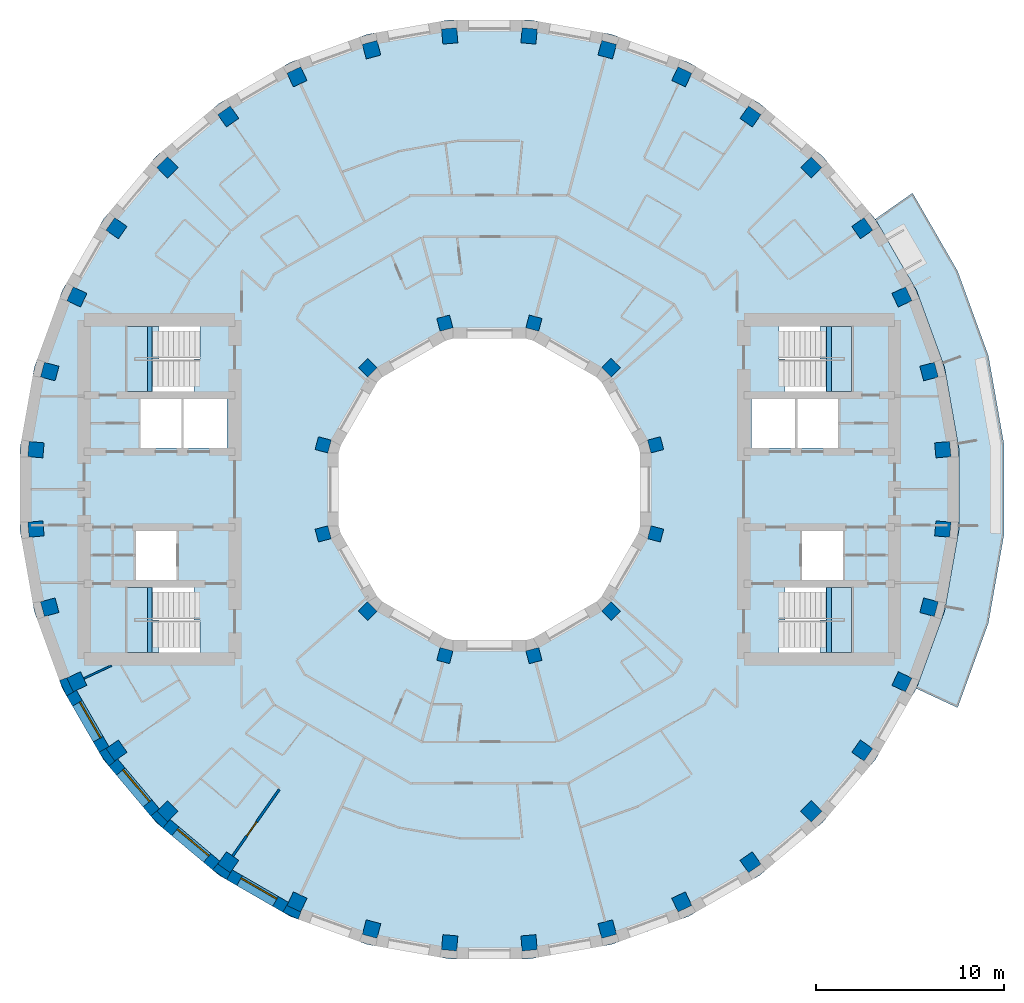
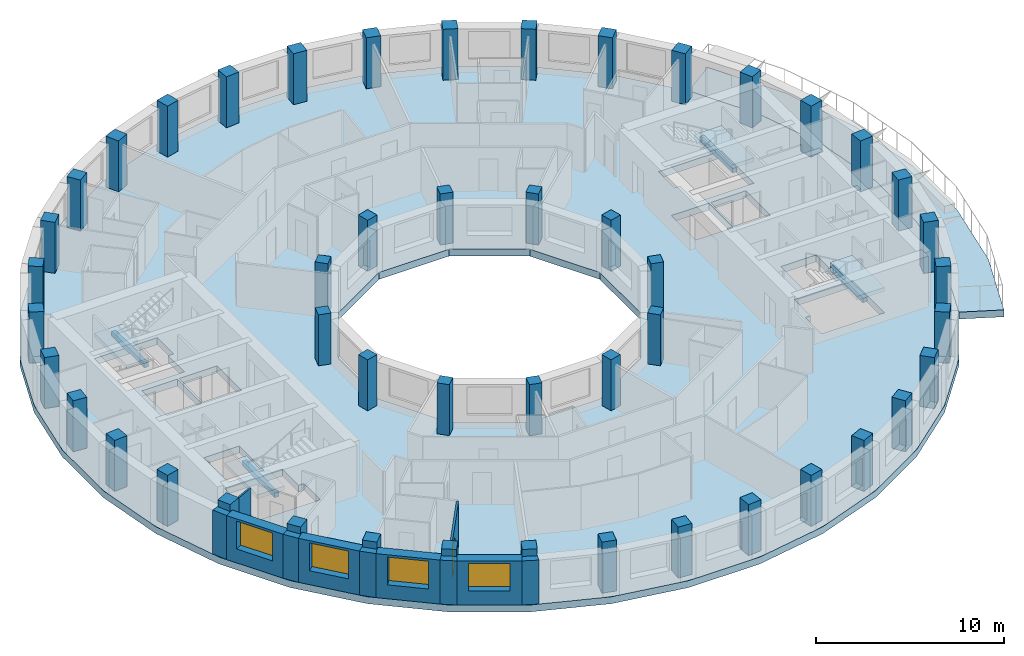
# One storey, part 1 of 11: 48 columns, 11 walls, 6 slabs, 4 beams, 4 windows, 1 door, 5 openings, 4 elements without a shape of their own.
"""IFC4 building model written with IfcOpenShell, lengths in metres."""

import ifcopenshell
import ifcopenshell.guid

model = None  # the IFC model being written
_history = None  # IfcOwnerHistory: only IFC2X3 demands one
_inside = {}  # id of a spatial element -> (the spatial element, [elements in it])
_under = {}  # id of a project, library or spatial element -> (it, [spatial elements below it])
_declared = {}  # id of a project -> (the project, [libraries it declares])
_typed = {}  # id of a type object -> (the type object, [elements of that type])
_made_of = {}  # id of a material, layer set ... -> (it, [elements and type objects made of it])


def new_model(schema):
    """Start an empty IFC model of exactly this schema.

    Asked for "IFC4X3", IfcOpenShell would pick the latest addendum, in which some entities
    have other attributes; the version numbers below select the first issue.
    IFC2X3 requires an IfcOwnerHistory on every rooted entity: one is made here for all.
    """
    global model, _history
    if schema == "IFC4X3":
        model = ifcopenshell.file(schema_version=(4, 3, 0, 0))
    else:
        model = ifcopenshell.file(schema=schema)
    _inside.clear()
    _under.clear()
    _declared.clear()
    _typed.clear()
    _made_of.clear()
    _history = None
    if model.schema == "IFC2X3":
        org = make("IfcOrganization", Name="unknown")
        user = make(
            "IfcPersonAndOrganization",
            ThePerson=make("IfcPerson", FamilyName="unknown"),
            TheOrganization=org,
        )
        app = make(
            "IfcApplication",
            ApplicationDeveloper=org,
            Version="unknown",
            ApplicationFullName="unknown",
            ApplicationIdentifier="unknown",
        )
        _history = make(
            "IfcOwnerHistory",
            OwningUser=user,
            OwningApplication=app,
            ChangeAction="ADDED",
            CreationDate=0,
        )
    return model


def make(cls, **values):
    """One entity of the class cls with the attributes given. An attribute that is None is left unset."""
    return model.create_entity(
        cls, **{name: value for name, value in values.items() if value is not None}
    )


def rooted(cls, **values):
    """An entity with a GlobalId (a new one), such as an element, a storey or a relation."""
    return make(cls, GlobalId=ifcopenshell.guid.new(), OwnerHistory=_history, **values)


def si_unit(unit_type, name, prefix=None):
    """IfcSIUnit, for example si_unit("LENGTHUNIT", "METRE", prefix="MILLI")."""
    return make("IfcSIUnit", UnitType=unit_type, Prefix=prefix, Name=name)


def assignment(units):
    """IfcUnitAssignment: the units of a project."""
    return None if units is None else make("IfcUnitAssignment", Units=units)


def point(xyz):
    """IfcCartesianPoint."""
    return None if xyz is None else make("IfcCartesianPoint", Coordinates=xyz)


def direction(xyz):
    """IfcDirection."""
    return None if xyz is None else make("IfcDirection", DirectionRatios=xyz)


def frame(location, z_axis=None, x_axis=None):
    """IfcAxis2Placement3D, a coordinate frame: its origin and axes. An axis left out is left unset."""
    return make(
        "IfcAxis2Placement3D",
        Location=point(location),
        Axis=direction(z_axis),
        RefDirection=direction(x_axis),
    )


def frame_2d(location, x_axis=None):
    """IfcAxis2Placement2D, a coordinate frame in the plane: its origin and x axis."""
    return make(
        "IfcAxis2Placement2D", Location=point(location), RefDirection=direction(x_axis)
    )


def origin():
    """The frame at (0, 0, 0) with its axes left unset."""
    return frame((0.0, 0.0, 0.0))


def origin_2d():
    """The frame at (0, 0) in the plane with its x axis left unset."""
    return frame_2d((0.0, 0.0))


def place(relative_to, where):
    """IfcLocalPlacement: puts the frame where relative to a parent placement (None: the world)."""
    return make(
        "IfcLocalPlacement", PlacementRelTo=relative_to, RelativePlacement=where
    )


def context(
    kind, dimensions, precision=None, world=None, true_north=None, identifier=None
):
    """IfcGeometricRepresentationContext, for example the 3D "Model" context."""
    return make(
        "IfcGeometricRepresentationContext",
        ContextIdentifier=identifier,
        ContextType=kind,
        CoordinateSpaceDimension=dimensions,
        Precision=precision,
        WorldCoordinateSystem=world,
        TrueNorth=true_north,
    )


def subcontext(parent, identifier, kind, view, scale=None):
    """IfcGeometricRepresentationSubContext, for example "Body" below "Model"."""
    return make(
        "IfcGeometricRepresentationSubContext",
        ContextIdentifier=identifier,
        ContextType=kind,
        ParentContext=parent,
        TargetScale=scale,
        TargetView=view,
    )


def project(units=None, contexts=None):
    """IfcProject with its units and contexts."""
    return rooted(
        "IfcProject",
        Name="project",
        RepresentationContexts=contexts,
        UnitsInContext=assignment(units),
    )


def spatial(cls, under=None, at=None, **own):
    """A site, building, storey or space (cls), placed at a placement, below another one or the project."""
    s = rooted(cls, ObjectPlacement=at, **own)
    if under is not None:
        _under.setdefault(under.id(), (under, []))[1].append(s)
    return s


def polyline(points):
    """IfcPolyline through the points."""
    return make("IfcPolyline", Points=[point(p) for p in points])


def profile(cls, at=None, kind="AREA", **sizes):
    """A parametric profile (cls). Its sizes go by their IFC names, for example OverallWidth=200.0."""
    return make(cls, ProfileType=kind, Position=at, **sizes)


def rectangle(**sizes):
    """IfcRectangleProfileDef."""
    return profile("IfcRectangleProfileDef", **sizes)


def outline(outer, holes=None, kind="AREA"):
    """IfcArbitraryClosedProfileDef: a profile drawn as a closed curve; with holes, ...WithVoids."""
    if holes is None:
        return make("IfcArbitraryClosedProfileDef", ProfileType=kind, OuterCurve=outer)
    return make(
        "IfcArbitraryProfileDefWithVoids",
        ProfileType=kind,
        OuterCurve=outer,
        InnerCurves=holes,
    )


def extrude(swept, where, along, depth):
    """IfcExtrudedAreaSolid: the profile swept, set in the frame where, extruded along a direction by depth."""
    return make(
        "IfcExtrudedAreaSolid",
        SweptArea=swept,
        Position=where,
        ExtrudedDirection=direction(along),
        Depth=depth,
    )


def shape(context_of_items, identifier, shape_type, items):
    """IfcShapeRepresentation: the items that make up one representation, for example the "Body"."""
    return make(
        "IfcShapeRepresentation",
        ContextOfItems=context_of_items,
        RepresentationIdentifier=identifier,
        RepresentationType=shape_type,
        Items=items,
    )


def material(Name=None, Category=None):
    """IfcMaterial."""
    return make("IfcMaterial", Name=Name, Category=Category)


def layer(
    of_material, thickness, ventilated=None, Name=None, Category=None, Priority=None
):
    """IfcMaterialLayer: one layer of a wall or slab, of a material (None: an air gap)."""
    return make(
        "IfcMaterialLayer",
        Material=of_material,
        LayerThickness=thickness,
        IsVentilated=ventilated,
        Name=Name,
        Category=Category,
        Priority=Priority,
    )


def layer_set(layers, Name=None):
    """IfcMaterialLayerSet."""
    return make("IfcMaterialLayerSet", MaterialLayers=layers, LayerSetName=Name)


def material_profile(
    of_material, cross_section, Name=None, Category=None, Priority=None
):
    """IfcMaterialProfile: a cross section and its material."""
    return make(
        "IfcMaterialProfile",
        Name=Name,
        Material=of_material,
        Profile=cross_section,
        Priority=Priority,
        Category=Category,
    )


def profile_set(profiles, Name=None, composite=None):
    """IfcMaterialProfileSet."""
    return make(
        "IfcMaterialProfileSet",
        Name=Name,
        MaterialProfiles=profiles,
        CompositeProfile=composite,
    )


def made_of(thing, what):
    """Note that an element or type object is made of a material, layer set ...; save() writes the relation."""
    if what is not None:
        _made_of.setdefault(what.id(), (what, []))[1].append(thing)
    return thing


def type_object(cls, material=None, **own):
    """A type object (cls), such as IfcWallType, which elements share."""
    return made_of(rooted(cls, **own), material)


def element(
    cls,
    number,
    at=None,
    inside=None,
    cuts=None,
    type_object=None,
    material=None,
    context=None,
    identifier="Body",
    shape_type=None,
    held_by="IfcProductDefinitionShape",
    body=None,
    shapes=None,
    **own,
):
    """One element of the class cls, such as IfcWall. Its Tag is "e" and its number.

    at: its placement. inside: the storey or other place that contains it. cuts: it is an
    opening in that element (IfcRelVoidsElement). A single representation is given by context,
    identifier, shape_type and body (its items); several are given by shapes. held_by: the class
    of the entity that holds the representations. save() writes the other relations.
    """
    e = rooted(cls, Tag="e%d" % number, ObjectPlacement=at, **own)
    if body is not None:
        shapes = [shape(context, identifier, shape_type, body)]
    if shapes is not None:
        e.Representation = make(held_by, Representations=shapes)
    if inside is not None:
        _inside.setdefault(inside.id(), (inside, []))[1].append(e)
    if cuts is not None:
        rooted(
            "IfcRelVoidsElement", RelatingBuildingElement=cuts, RelatedOpeningElement=e
        )
    if type_object is not None:
        _typed.setdefault(type_object.id(), (type_object, []))[1].append(e)
    return made_of(e, material)


def fill(opening, filler):
    """IfcRelFillsElement: the door or window that sits in an opening."""
    return rooted(
        "IfcRelFillsElement",
        RelatingOpeningElement=opening,
        RelatedBuildingElement=filler,
    )


def aggregate(whole, parts):
    """IfcRelAggregates: a whole, such as a stair, and the parts it consists of."""
    return rooted("IfcRelAggregates", RelatingObject=whole, RelatedObjects=parts)


def save(model, path):
    """Write the relations noted so far, then the file.

    IfcRelAggregates (storeys below a building ...), IfcRelContainedInSpatialStructure (elements
    in a storey), IfcRelDefinesByType, IfcRelAssociatesMaterial and IfcRelDeclares: one each for
    every whole, place, type object, material and project.
    """
    for whole, parts in _under.values():
        aggregate(whole, parts)
    for where, things in _inside.values():
        rooted(
            "IfcRelContainedInSpatialStructure",
            RelatedElements=things,
            RelatingStructure=where,
        )
    for kind, things in _typed.values():
        rooted("IfcRelDefinesByType", RelatedObjects=things, RelatingType=kind)
    for what, things in _made_of.values():
        rooted("IfcRelAssociatesMaterial", RelatedObjects=things, RelatingMaterial=what)
    for by, libraries in _declared.values():
        rooted("IfcRelDeclares", RelatingContext=by, RelatedDefinitions=libraries)
    model.write(path)


model = new_model("IFC4")

# Units and contexts
model_context = context("Model", 3, precision=1e-05, world=origin(), true_north=direction((0.0, 1.0)))
body_context = subcontext(model_context, "Body", "Model", "MODEL_VIEW")
ifc_project = project(units=[si_unit("LENGTHUNIT", "METRE"), si_unit("AREAUNIT", "SQUARE_METRE"), si_unit("VOLUMEUNIT", "CUBIC_METRE"), si_unit("PLANEANGLEUNIT", "RADIAN"), si_unit("MASSUNIT", "GRAM", prefix="KILO")], contexts=[model_context])

# Site, building, storey
site_placement = place(None, origin())
site = spatial("IfcSite", under=ifc_project, at=site_placement, CompositionType="ELEMENT")
building_placement = place(site_placement, origin())
building = spatial("IfcBuilding", under=site, at=building_placement, Name="Saqina Gate Tower", CompositionType="ELEMENT")
storey_placement = place(building_placement, frame((0.0, 0.0, 183.89990234375)))
storey = spatial("IfcBuildingStorey", under=building, at=storey_placement, Name="L52", CompositionType="ELEMENT", Elevation=183.89990234375)

# Columns
ifc_material_1 = material(Name="Concrete C60/75", Category="concrete")
ifc_material_profile_1 = material_profile(ifc_material_1, rectangle(XDim=0.699951171875, YDim=0.699951171875, at=origin_2d()), Name="RC 700x700")
ifc_profile_set_1 = profile_set([ifc_material_profile_1], Name="Concrete C60/75")
column_type_1 = type_object("IfcColumnType", Name="STR-COL-IN-C", PredefinedType="COLUMN", material=ifc_profile_set_1)
for number, where, z_axis, x_axis, name in (
    (1, (8.821044921875, 2.363525390625, 0.0), (0.0, 0.0, 1.0), (0.965925826289, 0.258819045103, 0.0), "L52-ICL01"),
    (2, (6.45751953125, 6.45751953125, 0.0), (0.0, 0.0, 1.0), (0.707106781187, 0.707106781187, 0.0), "L52-ICL02"),
    (3, (2.363525390625, 8.821044921875, 0.0), (0.0, 0.0, 1.0), (0.258819045103, 0.965925826289, 0.0), "L52-ICL03"),
    (4, (-2.363525390625, 8.821044921875, 0.0), (0.0, 0.0, 1.0), (-0.258819045103, 0.965925826289, 0.0), "L52-ICL04"),
    (5, (-6.45751953125, 6.45751953125, 0.0), (0.0, 0.0, 1.0), (-0.707106781187, 0.707106781187, 0.0), "L52-ICL05"),
    (6, (-8.821044921875, 2.363525390625, 0.0), (0.0, 0.0, 1.0), (-0.965925826289, 0.258819045103, 0.0), "L52-ICL06"),
    (7, (-8.821044921875, -2.363525390625, 0.0), (0.0, 0.0, 1.0), (-0.965925826289, -0.258819045103, 0.0), "L52-ICL07"),
    (8, (-6.45751953125, -6.45751953125, 0.0), (0.0, 0.0, 1.0), (-0.707106781187, -0.707106781187, 0.0), "L52-ICL08"),
    (9, (-2.363525390625, -8.821044921875, 0.0), (0.0, 0.0, 1.0), (-0.258819045103, -0.965925826289, 0.0), "L52-ICL09"),
    (10, (2.363525390625, -8.821044921875, 0.0), (0.0, 0.0, 1.0), (0.258819045103, -0.965925826289, 0.0), "L52-ICL10"),
    (11, (6.45751953125, -6.45751953125, 0.0), (0.0, 0.0, 1.0), (0.707106781187, -0.707106781187, 0.0), "L52-ICL11"),
    (12, (8.821044921875, -2.363525390625, 0.0), (0.0, 0.0, 1.0), (0.965925826289, -0.258819045103, 0.0), "L52-ICL12"),
):
    element("IfcColumn", number, at=place(storey_placement, frame(where, z_axis=z_axis, x_axis=x_axis)), inside=storey, type_object=column_type_1, Name=name, PredefinedType="COLUMN", context=body_context, shape_type="SweptSolid", body=[
        extrude(rectangle(XDim=0.699951171875, YDim=0.699951171875, at=origin_2d()), origin(), (0.0, 0.0, 1.0), 3.300048828125),
    ])
ifc_material_2 = material(Name="Concrete C60/75", Category="concrete")
ifc_material_profile_2 = material_profile(ifc_material_2, rectangle(XDim=0.800048828125, YDim=0.800048828125, at=origin_2d()), Name="RC 800x800")
ifc_profile_set_2 = profile_set([ifc_material_profile_2], Name="Concrete C60/75")
column_type_2 = type_object("IfcColumnType", Name="STR-COL-OUT-C", PredefinedType="COLUMN", material=ifc_profile_set_2)
for number, where, z_axis, x_axis, name in (
    (13, (24.05810546875, 2.104736328125, 0.0), (0.0, 0.0, 1.0), (0.996194698092, 0.087155742748, 0.0), "L52-COL01"),
    (14, (23.3271484375, 6.25048828125, 0.0), (0.0, 0.0, 1.0), (0.965925826289, 0.258819045103, 0.0), "L52-COL02"),
    (15, (21.887451171875, 10.206298828125, 0.0), (0.0, 0.0, 1.0), (0.906307787037, 0.422618261741, 0.0), "L52-COL03"),
    (16, (19.782470703125, 13.851806640625, 0.0), (0.0, 0.0, 1.0), (0.819152044289, 0.573576436351, 0.0), "L52-COL04"),
    (17, (17.07666015625, 17.07666015625, 0.0), (0.0, 0.0, 1.0), (0.707106781187, 0.707106781187, 0.0), "L52-COL05"),
    (18, (13.851806640625, 19.782470703125, 0.0), (0.0, 0.0, 1.0), (0.573576436351, 0.819152044289, 0.0), "L52-COL06"),
    (19, (10.206298828125, 21.887451171875, 0.0), (0.0, 0.0, 1.0), (0.422618261741, 0.906307787037, 0.0), "L52-COL07"),
    (20, (6.25048828125, 23.3271484375, 0.0), (0.0, 0.0, 1.0), (0.258819045103, 0.965925826289, 0.0), "L52-COL08"),
    (21, (2.104736328125, 24.05810546875, 0.0), (0.0, 0.0, 1.0), (0.087155742748, 0.996194698092, 0.0), "L52-COL09"),
    (22, (-2.104736328125, 24.05810546875, 0.0), (0.0, 0.0, 1.0), (-0.087155742748, 0.996194698092, 0.0), "L52-COL10"),
    (23, (-6.25048828125, 23.3271484375, 0.0), (0.0, 0.0, 1.0), (-0.258819045103, 0.965925826289, 0.0), "L52-COL11"),
    (24, (-10.206298828125, 21.887451171875, 0.0), (0.0, 0.0, 1.0), (-0.422618261741, 0.906307787037, 0.0), "L52-COL12"),
    (25, (-13.851806640625, 19.782470703125, 0.0), (0.0, 0.0, 1.0), (-0.573576436351, 0.819152044289, 0.0), "L52-COL13"),
    (26, (-17.07666015625, 17.07666015625, 0.0), (0.0, 0.0, 1.0), (-0.707106781187, 0.707106781187, 0.0), "L52-COL14"),
    (27, (-19.782470703125, 13.851806640625, 0.0), (0.0, 0.0, 1.0), (-0.819152044289, 0.573576436351, 0.0), "L52-COL15"),
    (28, (-21.887451171875, 10.206298828125, 0.0), (0.0, 0.0, 1.0), (-0.906307787037, 0.422618261741, 0.0), "L52-COL16"),
    (29, (-23.3271484375, 6.25048828125, 0.0), (0.0, 0.0, 1.0), (-0.965925826289, 0.258819045103, 0.0), "L52-COL17"),
    (30, (-24.05810546875, 2.104736328125, 0.0), (0.0, 0.0, 1.0), (-0.996194698092, 0.087155742748, 0.0), "L52-COL18"),
    (31, (-24.05810546875, -2.104736328125, 0.0), (0.0, 0.0, 1.0), (-0.996194698092, -0.087155742748, 0.0), "L52-COL19"),
    (32, (-23.3271484375, -6.25048828125, 0.0), (0.0, 0.0, 1.0), (-0.965925826289, -0.258819045103, 0.0), "L52-COL20"),
    (33, (-21.887451171875, -10.206298828125, 0.0), (0.0, 0.0, 1.0), (-0.906307787037, -0.422618261741, 0.0), "L52-COL21"),
    (34, (-19.782470703125, -13.851806640625, 0.0), (0.0, 0.0, 1.0), (-0.819152044289, -0.573576436351, 0.0), "L52-COL22"),
    (35, (-17.07666015625, -17.07666015625, 0.0), (0.0, 0.0, 1.0), (-0.707106781187, -0.707106781187, 0.0), "L52-COL23"),
    (36, (-13.851806640625, -19.782470703125, 0.0), (0.0, 0.0, 1.0), (-0.573576436351, -0.819152044289, 0.0), "L52-COL24"),
    (37, (-10.206298828125, -21.887451171875, 0.0), (0.0, 0.0, 1.0), (-0.422618261741, -0.906307787037, 0.0), "L52-COL25"),
    (38, (-6.25048828125, -23.3271484375, 0.0), (0.0, 0.0, 1.0), (-0.258819045103, -0.965925826289, 0.0), "L52-COL26"),
    (39, (-2.104736328125, -24.05810546875, 0.0), (0.0, 0.0, 1.0), (-0.087155742748, -0.996194698092, 0.0), "L52-COL27"),
    (40, (2.104736328125, -24.05810546875, 0.0), (0.0, 0.0, 1.0), (0.087155742748, -0.996194698092, 0.0), "L52-COL28"),
    (41, (6.25048828125, -23.3271484375, 0.0), (0.0, 0.0, 1.0), (0.258819045103, -0.965925826289, 0.0), "L52-COL29"),
    (42, (10.206298828125, -21.887451171875, 0.0), (0.0, 0.0, 1.0), (0.422618261741, -0.906307787037, 0.0), "L52-COL30"),
    (43, (13.851806640625, -19.782470703125, 0.0), (0.0, 0.0, 1.0), (0.573576436351, -0.819152044289, 0.0), "L52-COL31"),
    (44, (17.07666015625, -17.07666015625, 0.0), (0.0, 0.0, 1.0), (0.707106781187, -0.707106781187, 0.0), "L52-COL32"),
    (45, (19.782470703125, -13.851806640625, 0.0), (0.0, 0.0, 1.0), (0.819152044289, -0.573576436351, 0.0), "L52-COL33"),
    (46, (21.887451171875, -10.206298828125, 0.0), (0.0, 0.0, 1.0), (0.906307787037, -0.422618261741, 0.0), "L52-COL34"),
    (47, (23.3271484375, -6.25048828125, 0.0), (0.0, 0.0, 1.0), (0.965925826289, -0.258819045103, 0.0), "L52-COL35"),
    (48, (24.05810546875, -2.104736328125, 0.0), (0.0, 0.0, 1.0), (0.996194698092, -0.087155742748, 0.0), "L52-COL36"),
):
    element("IfcColumn", number, at=place(storey_placement, frame(where, z_axis=z_axis, x_axis=x_axis)), inside=storey, type_object=column_type_2, Name=name, PredefinedType="COLUMN", context=body_context, shape_type="SweptSolid", body=[
        extrude(rectangle(XDim=0.800048828125, YDim=0.800048828125, at=origin_2d()), origin(), (0.0, 0.0, 1.0), 3.300048828125),
    ])

# Beams
ifc_material_3 = material(Name="Concrete C40/50", Category="concrete")
ifc_material_profile_3 = material_profile(ifc_material_3, rectangle(XDim=0.25, YDim=0.300048828125, at=origin_2d()), Name="STAIR LANDING BEAM")
ifc_profile_set_3 = profile_set([ifc_material_profile_3], Name="Concrete C40/50")
beam_type = type_object("IfcBeamType", Name="STAIR LANDING BEAM", PredefinedType="BEAM", material=ifc_profile_set_3)
for number, where, z_axis, x_axis, name in (
    (49, (18.02001953125, 5.199951171875, 1.25), (0.0, 1.0, 0.0), (-1.0, 0.0, 0.0), "EXIT STAIR 1 LANDING BEAM"),
    (50, (18.02001953125, -8.64990234375, 1.25), (0.0, 1.0, 0.0), (-1.0, 0.0, 0.0), "EXIT STAIR 2 LANDING BEAM"),
    (51, (-18.02001953125, 5.199951171875, 1.25), (0.0, 1.0, 0.0), (-1.0, 0.0, 0.0), "EXIT STAIR 3 LANDING BEAM"),
    (52, (-18.02001953125, -8.64990234375, 1.25), (0.0, 1.0, 0.0), (-1.0, 0.0, 0.0), "EXIT STAIR 4 LANDING BEAM"),
):
    element("IfcBeam", number, at=place(storey_placement, frame(where, z_axis=z_axis, x_axis=x_axis)), inside=storey, type_object=beam_type, Name=name, PredefinedType="BEAM", context=body_context, shape_type="SweptSolid", body=[
        extrude(rectangle(XDim=0.25, YDim=0.300048828125, at=origin_2d()), origin(), (0.0, 0.0, 1.0), 3.449951171875),
    ])

# Stair, slab
ifc_material_4 = material(Name="Concrete C40/50", Category="concrete")
stair_type = type_object("IfcStairType", Name="EXIT STAIR", PredefinedType="HALF_TURN_STAIR", material=ifc_material_4)
stair_1_placement = place(storey_placement, origin())
stair_1 = element("IfcStair", 53, at=stair_1_placement, inside=storey, type_object=stair_type, Name="EXIT STAIR 1", PredefinedType="HALF_TURN_STAIR")
ifc_material_5 = material(Name="Concrete C40/50", Category="concrete")
ifc_layer_1 = layer(ifc_material_5, 0.25)
ifc_layer_set_1 = layer_set([ifc_layer_1], Name="Concrete C40/50")
slab_type_1 = type_object("IfcSlabType", Name="EXIT STAIR LANDING", PredefinedType="LANDING", material=ifc_layer_set_1)
slab_1_placement = place(storey_placement, frame((0.0, 0.0, 1.400146484375)))
slab_1 = element("IfcSlab", 54, at=slab_1_placement, type_object=slab_type_1, Name="EXIT STAIR 1 LANDING 1", PredefinedType="LANDING", context=body_context, shape_type="SweptSolid", body=[
    extrude(outline(polyline([(19.219970703125, 8.64990234375), (19.219970703125, 5.199951171875), (17.864990234375, 5.199951171875), (17.864990234375, 6.925048828125), (17.534423828125, 6.925048828125), (17.534423828125, 8.64990234375), (17.864990234375, 8.64990234375), (17.8701171875, 8.64990234375), (19.219970703125, 8.64990234375)])), origin(), (0.0, 0.0, 1.0), 0.25),
])
aggregate(stair_1, [slab_1])

stair_2_placement = place(storey_placement, origin())
stair_2 = element("IfcStair", 55, at=stair_2_placement, inside=storey, type_object=stair_type, Name="EXIT STAIR 2", PredefinedType="HALF_TURN_STAIR")
slab_2_placement = place(storey_placement, frame((0.0, 0.0, 1.400146484375)))
slab_2 = element("IfcSlab", 56, at=slab_2_placement, type_object=slab_type_1, Name="EXIT STAIR 2 LANDING 1", PredefinedType="LANDING", context=body_context, shape_type="SweptSolid", body=[
    extrude(outline(polyline([(17.534423828125, -8.64990234375), (17.534423828125, -6.925048828125), (17.864990234375, -6.925048828125), (17.864990234375, -5.199951171875), (19.219970703125, -5.199951171875), (19.219970703125, -8.64990234375), (17.8701171875, -8.64990234375), (17.864990234375, -8.64990234375), (17.534423828125, -8.64990234375)])), origin(), (0.0, 0.0, 1.0), 0.25),
])
aggregate(stair_2, [slab_2])

stair_3_placement = place(storey_placement, origin())
stair_3 = element("IfcStair", 57, at=stair_3_placement, inside=storey, type_object=stair_type, Name="EXIT STAIR 3", PredefinedType="HALF_TURN_STAIR")
slab_3_placement = place(storey_placement, frame((0.0, 0.0, 1.400146484375)))
slab_3 = element("IfcSlab", 58, at=slab_3_placement, type_object=slab_type_1, Name="EXIT STAIR 3 LANDING 1", PredefinedType="LANDING", context=body_context, shape_type="SweptSolid", body=[
    extrude(outline(polyline([(-17.864990234375, 5.199951171875), (-19.219970703125, 5.199951171875), (-19.219970703125, 8.64990234375), (-17.8701171875, 8.64990234375), (-17.864990234375, 8.64990234375), (-17.534423828125, 8.64990234375), (-17.534423828125, 6.925048828125), (-17.864990234375, 6.925048828125), (-17.864990234375, 5.199951171875)])), origin(), (0.0, 0.0, 1.0), 0.25),
])
aggregate(stair_3, [slab_3])

stair_4_placement = place(storey_placement, origin())
stair_4 = element("IfcStair", 59, at=stair_4_placement, inside=storey, type_object=stair_type, Name="EXIT STAIR 4", PredefinedType="HALF_TURN_STAIR")
slab_4_placement = place(storey_placement, frame((0.0, 0.0, 1.400146484375)))
slab_4 = element("IfcSlab", 60, at=slab_4_placement, type_object=slab_type_1, Name="EXIT STAIR 4 LANDING 1", PredefinedType="LANDING", context=body_context, shape_type="SweptSolid", body=[
    extrude(outline(polyline([(-17.534423828125, -6.925048828125), (-17.534423828125, -8.64990234375), (-17.864990234375, -8.64990234375), (-17.8701171875, -8.64990234375), (-19.219970703125, -8.64990234375), (-19.219970703125, -5.199951171875), (-17.864990234375, -5.199951171875), (-17.864990234375, -6.925048828125), (-17.534423828125, -6.925048828125)])), origin(), (0.0, 0.0, 1.0), 0.25),
])
aggregate(stair_4, [slab_4])

# Slabs
ifc_material_6 = material(Name="Concrete C40/50", Category="concrete")
ifc_layer_2 = layer(ifc_material_6, 0.449951171875)
ifc_layer_set_2 = layer_set([ifc_layer_2], Name="Concrete C40/50")
slab_type_2 = type_object("IfcSlabType", Name="STR-POST-TENSIONED FLAT PLATE FLOOR-450", PredefinedType="FLOOR", material=ifc_layer_set_2)
slab_5_placement = place(storey_placement, frame((0.0, 0.0, -0.449951171875)))
element("IfcSlab", 61, at=slab_5_placement, inside=storey, type_object=slab_type_2, Name="L52-SLB01", PredefinedType="FLOOR", context=body_context, shape_type="SweptSolid", body=[
    extrude(outline(polyline([(24.148193359375, -6.470458984375), (24.90478515625, -2.178955078125), (24.90478515625, 2.178955078125), (24.148193359375, 6.470458984375), (22.65771484375, 10.5654296875), (20.478759765625, 14.33935546875), (17.677734375, 17.677734375), (14.33935546875, 20.478759765625), (10.5654296875, 22.65771484375), (6.470458984375, 24.148193359375), (2.178955078125, 24.90478515625), (-2.178955078125, 24.90478515625), (-6.470458984375, 24.148193359375), (-10.5654296875, 22.65771484375), (-14.33935546875, 20.478759765625), (-17.677734375, 17.677734375), (-20.478759765625, 14.33935546875), (-22.65771484375, 10.5654296875), (-24.148193359375, 6.470458984375), (-24.90478515625, 2.178955078125), (-24.90478515625, -2.178955078125), (-24.148193359375, -6.470458984375), (-22.65771484375, -10.5654296875), (-20.478759765625, -14.33935546875), (-17.677734375, -17.677734375), (-14.33935546875, -20.478759765625), (-10.5654296875, -22.65771484375), (-6.470458984375, -24.148193359375), (-2.178955078125, -24.90478515625), (2.178955078125, -24.90478515625), (6.470458984375, -24.148193359375), (10.5654296875, -22.65771484375), (14.33935546875, -20.478759765625), (17.677734375, -17.677734375), (20.478759765625, -14.33935546875), (22.65771484375, -10.5654296875), (24.148193359375, -6.470458984375)]), holes=[polyline([(2.1435546875, 8.0), (5.8564453125, 5.8564453125), (8.0, 2.1435546875), (8.0, -2.1435546875), (5.8564453125, -5.8564453125), (2.1435546875, -8.0), (-2.1435546875, -8.0), (-5.8564453125, -5.8564453125), (-8.0, -2.1435546875), (-8.0, 2.1435546875), (-5.8564453125, 5.8564453125), (-2.1435546875, 8.0), (2.1435546875, 8.0)]), polyline([(-15.35498046875, -8.64990234375), (-19.219970703125, -8.64990234375), (-19.219970703125, -6.925048828125), (-19.219970703125, -5.199951171875), (-15.685546875, -5.199951171875), (-15.685546875, -6.925048828125), (-15.35498046875, -6.925048828125), (-15.35498046875, -8.64990234375)]), polyline([(-16.590087890625, -2.199951171875), (-16.590087890625, -4.800048828125), (-18.75, -4.800048828125), (-18.75, -2.199951171875), (-16.590087890625, -2.199951171875)]), polyline([(-16.340087890625, 4.800048828125), (-16.340087890625, 2.199951171875), (-18.5, 2.199951171875), (-18.5, 4.800048828125), (-16.340087890625, 4.800048828125)]), polyline([(-13.909912109375, 4.800048828125), (-13.909912109375, 2.199951171875), (-16.219970703125, 2.199951171875), (-16.219970703125, 4.800048828125), (-13.909912109375, 4.800048828125)]), polyline([(-19.219970703125, 6.925048828125), (-19.219970703125, 8.64990234375), (-15.35498046875, 8.64990234375), (-15.35498046875, 6.925048828125), (-15.685546875, 6.925048828125), (-15.685546875, 5.199951171875), (-19.219970703125, 5.199951171875), (-19.219970703125, 6.925048828125)]), polyline([(15.35498046875, -8.64990234375), (15.35498046875, -6.925048828125), (15.685546875, -6.925048828125), (15.685546875, -5.199951171875), (19.219970703125, -5.199951171875), (19.219970703125, -6.925048828125), (19.219970703125, -8.64990234375), (15.35498046875, -8.64990234375)]), polyline([(18.75, -2.199951171875), (18.75, -4.800048828125), (16.590087890625, -4.800048828125), (16.590087890625, -2.199951171875), (18.75, -2.199951171875)]), polyline([(16.219970703125, 4.800048828125), (16.219970703125, 2.199951171875), (13.909912109375, 2.199951171875), (13.909912109375, 4.800048828125), (16.219970703125, 4.800048828125)]), polyline([(18.5, 4.800048828125), (18.5, 2.199951171875), (16.340087890625, 2.199951171875), (16.340087890625, 4.800048828125), (18.5, 4.800048828125)]), polyline([(15.685546875, 6.925048828125), (15.35498046875, 6.925048828125), (15.35498046875, 8.64990234375), (19.219970703125, 8.64990234375), (19.219970703125, 6.925048828125), (19.219970703125, 5.199951171875), (15.685546875, 5.199951171875), (15.685546875, 6.925048828125)])]), origin(), (0.0, 0.0, 1.0), 0.449951171875),
])
ifc_material_7 = material(Name="Concrete C40/50", Category="concrete")
ifc_layer_3 = layer(ifc_material_7, 0.449951171875)
ifc_layer_set_3 = layer_set([ifc_layer_3], Name="Concrete C40/50")
slab_type_3 = type_object("IfcSlabType", Name="STR-POST-TENSIONED FLAT PLATE TERRACE-450", PredefinedType="FLOOR", material=ifc_layer_set_3)
slab_6_placement = place(storey_placement, frame((0.0, 0.0, -0.449951171875)))
element("IfcSlab", 62, at=slab_6_placement, inside=storey, type_object=slab_type_3, Name="L52-TRS01", PredefinedType="FLOOR", context=body_context, shape_type="SweptSolid", body=[
    extrude(outline(polyline([(22.65771484375, -10.5654296875), (24.148193359375, -6.470458984375), (24.90478515625, -2.178955078125), (24.90478515625, 2.178955078125), (24.148193359375, 6.470458984375), (22.65771484375, 10.5654296875), (20.478759765625, 14.33935546875), (22.452392578125, 15.72119140625), (24.841064453125, 11.58349609375), (26.475341796875, 7.093994140625), (27.304931640625, 2.388916015625), (27.304931640625, -2.388916015625), (26.475341796875, -7.093994140625), (24.841064453125, -11.58349609375), (22.65771484375, -10.5654296875)])), origin(), (0.0, 0.0, 1.0), 0.449951171875),
])

# Walls
ifc_material_8 = material(Name="Brick masonry (buff)", Category="masonry")
wall_type_1 = type_object("IfcWallType", Name="BRICK PIER COPING BUFF", PredefinedType="SOLIDWALL", material=ifc_material_8)
wall_1_placement = place(storey_placement, origin())
element("IfcWall", 63, at=wall_1_placement, inside=storey, type_object=wall_type_1, Name="Pier cap L52 column 21", PredefinedType="SOLIDWALL", context=body_context, shape_type="SweptSolid", body=[
    extrude(outline(polyline([(-22.4306640625, -10.958740234375), (-21.9111328125, -10.65869140625), (-22.080810546875, -10.73779296875), (-22.4189453125, -10.0126953125), (-22.249267578125, -9.93359375), (-22.81298828125, -10.138916015625), (-22.4306640625, -10.958740234375)])), origin(), (0.0, 0.0, 1.0), 2.85009765625),
])
wall_2_placement = place(storey_placement, origin())
element("IfcWall", 64, at=wall_2_placement, inside=storey, type_object=wall_type_1, Name="Pier cap L52 column 22", PredefinedType="SOLIDWALL", context=body_context, shape_type="SweptSolid", body=[
    extrude(outline(polyline([(-20.705810546875, -13.9462890625), (-20.18701171875, -14.687255859375), (-19.727294921875, -14.301513671875), (-19.880859375, -14.408935546875), (-20.339599609375, -13.753662109375), (-20.186279296875, -13.646240234375), (-20.705810546875, -13.9462890625)])), origin(), (0.0, 0.0, 1.0), 2.85009765625),
])
wall_3_placement = place(storey_placement, origin())
element("IfcWall", 65, at=wall_3_placement, inside=storey, type_object=wall_type_1, Name="Pier cap L52 column 23", PredefinedType="SOLIDWALL", context=body_context, shape_type="SweptSolid", body=[
    extrude(outline(polyline([(-17.329833984375, -17.969482421875), (-16.944091796875, -17.510009765625), (-17.07666015625, -17.642333984375), (-17.642333984375, -17.07666015625), (-17.510009765625, -16.944091796875), (-17.969482421875, -17.329833984375), (-17.329833984375, -17.969482421875)])), origin(), (0.0, 0.0, 1.0), 2.85009765625),
])
wall_4_placement = place(storey_placement, origin())
element("IfcWall", 66, at=wall_4_placement, inside=storey, type_object=wall_type_1, Name="Pier cap L52 column 24", PredefinedType="SOLIDWALL", context=body_context, shape_type="SweptSolid", body=[
    extrude(outline(polyline([(-14.687255859375, -20.18701171875), (-13.9462890625, -20.705810546875), (-13.646240234375, -20.186279296875), (-13.753662109375, -20.339599609375), (-14.408935546875, -19.880859375), (-14.301513671875, -19.727294921875), (-14.687255859375, -20.18701171875)])), origin(), (0.0, 0.0, 1.0), 2.85009765625),
])
wall_5_placement = place(storey_placement, origin())
element("IfcWall", 67, at=wall_5_placement, inside=storey, type_object=wall_type_1, Name="Pier cap L52 column 25", PredefinedType="SOLIDWALL", context=body_context, shape_type="SweptSolid", body=[
    extrude(outline(polyline([(-10.138916015625, -22.81298828125), (-9.93359375, -22.249267578125), (-10.0126953125, -22.4189453125), (-10.73779296875, -22.080810546875), (-10.65869140625, -21.9111328125), (-10.958740234375, -22.4306640625), (-10.138916015625, -22.81298828125)])), origin(), (0.0, 0.0, 1.0), 2.85009765625),
])

# Wall, opening, window
ifc_material_9 = material(Name="Brick masonry (buff)", Category="masonry")
ifc_layer_4 = layer(ifc_material_9, 0.60009765625)
ifc_layer_set_4 = layer_set([ifc_layer_4], Name="FW-BRICK-BUFF")
wall_type_2 = type_object("IfcWallType", Name="FW-BRICK-BUFF", PredefinedType="SOLIDWALL", material=ifc_layer_set_4)
wall_6_placement = place(storey_placement, frame((-22.1708984375, -10.80859375, 0.0), z_axis=(0.0, 0.0, 1.0), x_axis=(0.499998129301, -0.86602648383, 0.0)))
wall_6 = element("IfcWall", 68, at=wall_6_placement, inside=storey, type_object=wall_type_2, Name="Facade wall L52 facet 21", PredefinedType="SOLIDWALL", context=body_context, shape_type="SweptSolid", body=[
    extrude(rectangle(XDim=3.44970703125, YDim=0.60009765625, at=frame_2d((1.724853515625, 0.0))), origin(), (0.0, 0.0, 1.0), 2.85009765625),
])
opening_1_placement = place(wall_6_placement, frame((0.625, 0.0, 0.89990234375)))
opening_1 = element("IfcOpeningElement", 69, at=opening_1_placement, cuts=wall_6, Name="Opening G15-W13", PredefinedType="OPENING", context=body_context, shape_type="SweptSolid", body=[
    extrude(rectangle(XDim=2.199951171875, YDim=1.800048828125, at=frame_2d((1.10009765625, 0.89990234375))), frame((0.0, 0.31201171875, 0.0), z_axis=(0.0, -1.0, 0.0), x_axis=(1.0, 0.0, 0.0)), (0.0, 0.0, 1.0), 0.6240234375),
])
ifc_material_10 = material(Name="Aluminium glazing", Category="aluminium")
window_type = type_object("IfcWindowType", Name="WN-C", PartitioningType="SINGLE_PANEL", PredefinedType="WINDOW", material=ifc_material_10)
window_1_placement = place(opening_1_placement, origin())
window_1 = element("IfcWindow", 70, at=window_1_placement, inside=storey, type_object=window_type, Name="Window L52 facet 21", OverallHeight=1.800048828125, OverallWidth=2.199951171875, PartitioningType="SINGLE_PANEL", PredefinedType="WINDOW", context=body_context, shape_type="SweptSolid", body=[
    extrude(rectangle(XDim=2.199951171875, YDim=1.800048828125, at=frame_2d((1.10009765625, 0.89990234375))), frame((0.0, 0.179931640625, 0.0), z_axis=(0.0, -1.0, 0.0), x_axis=(1.0, 0.0, 0.0)), (0.0, 0.0, 1.0), 0.06005859375),
])
fill(opening_1, window_1)

wall_7_placement = place(storey_placement, frame((-19.95703125, -14.494384765625, 0.0), z_axis=(0.0, 0.0, 1.0), x_axis=(0.642770398358, -0.766058884809, 0.0)))
wall_7 = element("IfcWall", 71, at=wall_7_placement, inside=storey, type_object=wall_type_2, Name="Facade wall L52 facet 22", PredefinedType="SOLIDWALL", context=body_context, shape_type="SweptSolid", body=[
    extrude(rectangle(XDim=3.449462890625, YDim=0.60009765625, at=frame_2d((1.724609375, 0.0))), origin(), (0.0, 0.0, 1.0), 2.85009765625),
])
opening_2_placement = place(wall_7_placement, frame((0.625, 0.0, 0.89990234375)))
opening_2 = element("IfcOpeningElement", 72, at=opening_2_placement, cuts=wall_7, Name="Opening G15-W14", PredefinedType="OPENING", context=body_context, shape_type="SweptSolid", body=[
    extrude(rectangle(XDim=2.199951171875, YDim=1.800048828125, at=frame_2d((1.10009765625, 0.89990234375))), frame((0.0, 0.31201171875, 0.0), z_axis=(0.0, -1.0, 0.0), x_axis=(1.0, 0.0, 0.0)), (0.0, 0.0, 1.0), 0.6240234375),
])
window_2_placement = place(opening_2_placement, origin())
window_2 = element("IfcWindow", 73, at=window_2_placement, inside=storey, type_object=window_type, Name="Window L52 facet 22", OverallHeight=1.800048828125, OverallWidth=2.199951171875, PartitioningType="SINGLE_PANEL", PredefinedType="WINDOW", context=body_context, shape_type="SweptSolid", body=[
    extrude(rectangle(XDim=2.199951171875, YDim=1.800048828125, at=frame_2d((1.10009765625, 0.89990234375))), frame((0.0, 0.179931640625, 0.0), z_axis=(0.0, -1.0, 0.0), x_axis=(1.0, 0.0, 0.0)), (0.0, 0.0, 1.0), 0.06005859375),
])
fill(opening_2, window_2)

wall_8_placement = place(storey_placement, frame((-17.136962890625, -17.73974609375, 0.0), z_axis=(0.0, 0.0, 1.0), x_axis=(0.766058884809, -0.642770398358, 0.0)))
wall_8 = element("IfcWall", 74, at=wall_8_placement, inside=storey, type_object=wall_type_2, Name="Facade wall L52 facet 23", PredefinedType="SOLIDWALL", context=body_context, shape_type="SweptSolid", body=[
    extrude(rectangle(XDim=3.449462890625, YDim=0.60009765625, at=frame_2d((1.724609375, 0.0))), origin(), (0.0, 0.0, 1.0), 2.85009765625),
])
opening_3_placement = place(wall_8_placement, frame((0.625, 0.0, 0.89990234375)))
opening_3 = element("IfcOpeningElement", 75, at=opening_3_placement, cuts=wall_8, Name="Opening G15-W15", PredefinedType="OPENING", context=body_context, shape_type="SweptSolid", body=[
    extrude(rectangle(XDim=2.199951171875, YDim=1.800048828125, at=frame_2d((1.10009765625, 0.89990234375))), frame((0.0, 0.31201171875, 0.0), z_axis=(0.0, -1.0, 0.0), x_axis=(1.0, 0.0, 0.0)), (0.0, 0.0, 1.0), 0.6240234375),
])
window_3_placement = place(opening_3_placement, origin())
window_3 = element("IfcWindow", 76, at=window_3_placement, inside=storey, type_object=window_type, Name="Window L52 facet 23", OverallHeight=1.800048828125, OverallWidth=2.199951171875, PartitioningType="SINGLE_PANEL", PredefinedType="WINDOW", context=body_context, shape_type="SweptSolid", body=[
    extrude(rectangle(XDim=2.199951171875, YDim=1.800048828125, at=frame_2d((1.10009765625, 0.89990234375))), frame((0.0, 0.179931640625, 0.0), z_axis=(0.0, -1.0, 0.0), x_axis=(1.0, 0.0, 0.0)), (0.0, 0.0, 1.0), 0.06005859375),
])
fill(opening_3, window_3)

wall_9_placement = place(storey_placement, frame((-13.796142578125, -20.446044921875, 0.0), z_axis=(0.0, 0.0, 1.0), x_axis=(0.86602648383, -0.499998129301, 0.0)))
wall_9 = element("IfcWall", 77, at=wall_9_placement, inside=storey, type_object=wall_type_2, Name="Facade wall L52 facet 24", PredefinedType="SOLIDWALL", context=body_context, shape_type="SweptSolid", body=[
    extrude(rectangle(XDim=3.44970703125, YDim=0.60009765625, at=frame_2d((1.724853515625, 0.0))), origin(), (0.0, 0.0, 1.0), 2.85009765625),
])
opening_4_placement = place(wall_9_placement, frame((0.625, 0.0, 0.89990234375)))
opening_4 = element("IfcOpeningElement", 78, at=opening_4_placement, cuts=wall_9, Name="Opening G15-W16", PredefinedType="OPENING", context=body_context, shape_type="SweptSolid", body=[
    extrude(rectangle(XDim=2.199951171875, YDim=1.800048828125, at=frame_2d((1.10009765625, 0.89990234375))), frame((0.0, 0.31201171875, 0.0), z_axis=(0.0, -1.0, 0.0), x_axis=(1.0, 0.0, 0.0)), (0.0, 0.0, 1.0), 0.6240234375),
])
window_4_placement = place(opening_4_placement, origin())
window_4 = element("IfcWindow", 79, at=window_4_placement, inside=storey, type_object=window_type, Name="Window L52 facet 24", OverallHeight=1.800048828125, OverallWidth=2.199951171875, PartitioningType="SINGLE_PANEL", PredefinedType="WINDOW", context=body_context, shape_type="SweptSolid", body=[
    extrude(rectangle(XDim=2.199951171875, YDim=1.800048828125, at=frame_2d((1.10009765625, 0.89990234375))), frame((0.0, 0.179931640625, 0.0), z_axis=(0.0, -1.0, 0.0), x_axis=(1.0, 0.0, 0.0)), (0.0, 0.0, 1.0), 0.06005859375),
])
fill(opening_4, window_4)

# Wall
ifc_material_11 = material(Name="Gypsum board on steel studs, 100 mm", Category="steel")
ifc_layer_5 = layer(ifc_material_11, 0.10009765625)
ifc_layer_set_5 = layer_set([ifc_layer_5], Name="PARTITION 100")
wall_type_3 = type_object("IfcWallType", Name="PARTITION 100", PredefinedType="PARTITIONING", material=ifc_layer_set_5)
wall_10_placement = place(storey_placement, frame((-21.515625, -10.032958984375, 0.0), z_axis=(0.0, 0.0, 1.0), x_axis=(0.906329754533, 0.422571149096, 0.0)))
element("IfcWall", 80, at=wall_10_placement, inside=storey, type_object=wall_type_3, Name="PARTITION PW3-38", PredefinedType="PARTITIONING", context=body_context, shape_type="SweptSolid", body=[
    extrude(rectangle(XDim=1.615966796875, YDim=0.10009765625, at=frame_2d((0.80810546875, 0.0))), origin(), (0.0, 0.0, 1.0), 2.85009765625),
])

# Wall, opening, door
ifc_material_12 = material(Name="Gypsum board on steel studs, 125 mm, fire rated", Category="steel")
ifc_layer_6 = layer(ifc_material_12, 0.125)
ifc_layer_set_6 = layer_set([ifc_layer_6], Name="PARTITION EI 30 125")
wall_type_4 = type_object("IfcWallType", Name="PARTITION EI 30 125", PredefinedType="PARTITIONING", material=ifc_layer_set_6)
wall_11_placement = place(storey_placement, frame((-13.617431640625, -19.4462890625, 0.0), z_axis=(0.0, 0.0, 1.0), x_axis=(0.573957706456, 0.818884943811, 0.0)))
wall_11 = element("IfcWall", 81, at=wall_11_placement, inside=storey, type_object=wall_type_4, Name="PARTITION PW1-37", PredefinedType="PARTITIONING", context=body_context, shape_type="SweptSolid", body=[
    extrude(rectangle(XDim=4.299072265625, YDim=0.125, at=frame_2d((2.1494140625, 0.0))), origin(), (0.0, 0.0, 1.0), 2.85009765625),
])
opening_5_placement = place(wall_11_placement, frame((1.301513671875, 0.0, 0.0)))
opening_5 = element("IfcOpeningElement", 82, at=opening_5_placement, cuts=wall_11, Name="Opening G15-D26", PredefinedType="OPENING", context=body_context, shape_type="SweptSolid", body=[
    extrude(rectangle(XDim=0.89990234375, YDim=2.10009765625, at=frame_2d((0.449951171875, 1.050048828125))), frame((0.0, 0.074462890625, 0.0), z_axis=(0.0, -1.0, 0.0), x_axis=(1.0, 0.0, 0.0)), (0.0, 0.0, 1.0), 0.14892578125),
])
ifc_material_13 = material(Name="Fire door leaf EI 30, 900 mm")
door_type = type_object("IfcDoorType", Name="DOOR 900 EI 30", OperationType="SINGLE_SWING_LEFT", PredefinedType="DOOR", material=ifc_material_13)
door_placement = place(opening_5_placement, frame((0.89990234375, 0.0, 0.0), z_axis=(0.0, 0.0, 1.0), x_axis=(-1.0, 0.0, 0.0)))
door = element("IfcDoor", 83, at=door_placement, inside=storey, type_object=door_type, Name="DOOR G15-D26", OperationType="SINGLE_SWING_RIGHT", OverallHeight=2.10009765625, OverallWidth=0.89990234375, PredefinedType="DOOR", context=body_context, shape_type="SweptSolid", body=[
    extrude(rectangle(XDim=0.89990234375, YDim=2.10009765625, at=frame_2d((0.449951171875, 1.050048828125))), frame((0.0, 0.02490234375, 0.0), z_axis=(0.0, -1.0, 0.0), x_axis=(1.0, 0.0, 0.0)), (0.0, 0.0, 1.0), 0.050048828125),
])
fill(opening_5, door)

save(model, "model.ifc")
